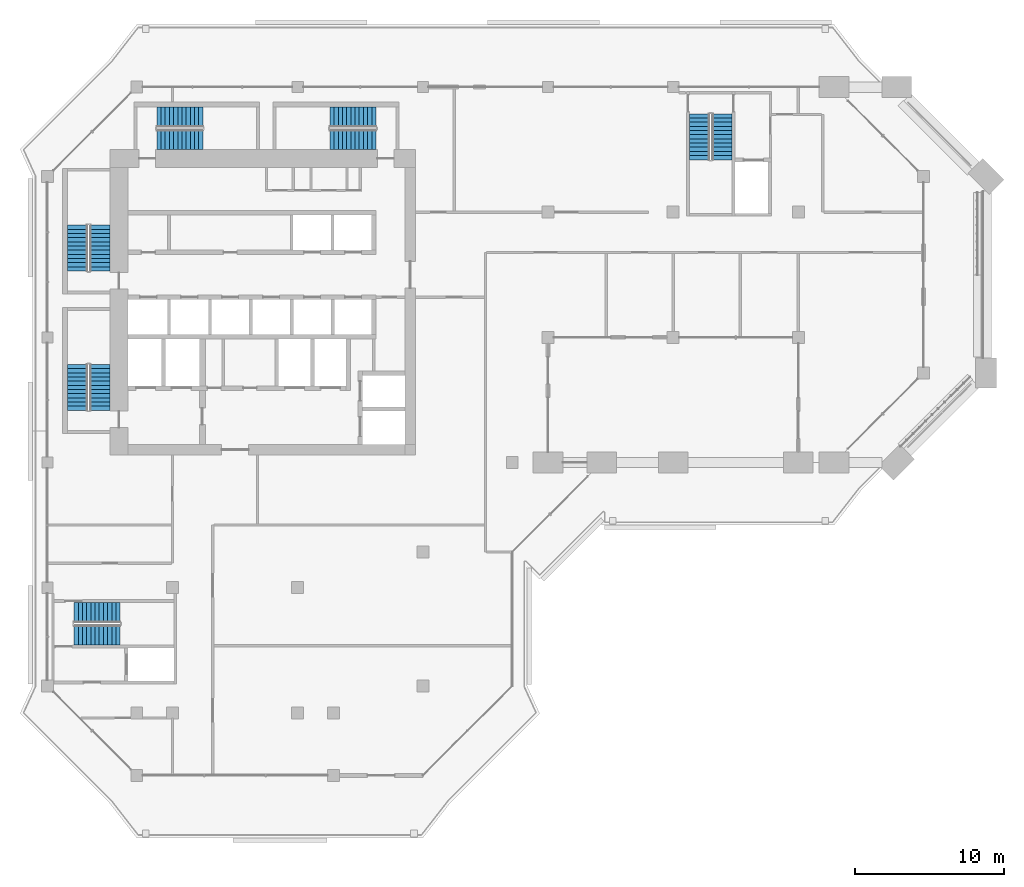
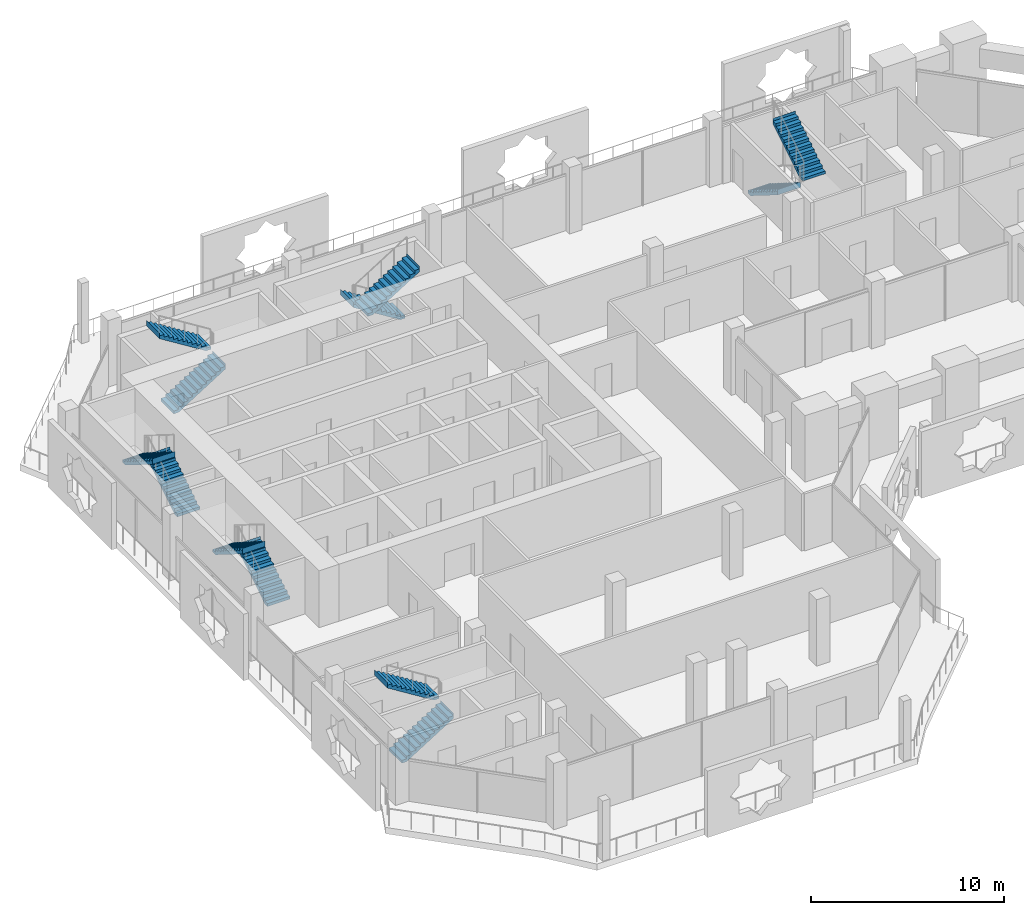
# One storey, part 14 of 20: 12 stair flights, 6 elements without a shape of their own.
"""IFC4 building model written with IfcOpenShell, lengths in metres."""

from ifc_helpers import new_model, si_unit, direction, frame, origin, place, context, subcontext, project, spatial, polyline, outline, extrude, material, type_object, element, aggregate, save


model = new_model("IFC4")

# Units and contexts
model_context = context("Model", 3, precision=1e-05, world=origin(), true_north=direction((0.0, 1.0)))
body_context = subcontext(model_context, "Body", "Model", "MODEL_VIEW")
ifc_project = project(units=[si_unit("LENGTHUNIT", "METRE"), si_unit("AREAUNIT", "SQUARE_METRE"), si_unit("VOLUMEUNIT", "CUBIC_METRE"), si_unit("PLANEANGLEUNIT", "RADIAN"), si_unit("MASSUNIT", "GRAM", prefix="KILO")], contexts=[model_context])

# Site, building, storey
site_placement = place(None, origin())
site = spatial("IfcSite", under=ifc_project, at=site_placement, CompositionType="ELEMENT")
building_placement = place(site_placement, origin())
building = spatial("IfcBuilding", under=site, at=building_placement, Name="Kawkab Arch Medical Tower", CompositionType="ELEMENT")
storey_placement = place(building_placement, frame((0.0, 0.0, 277.60009765625)))
storey = spatial("IfcBuildingStorey", under=building, at=storey_placement, Name="L64", CompositionType="ELEMENT", Elevation=277.60009765625)

# Stair, stair flights
ifc_material_1 = material(Name="Concrete C40/50", Category="concrete")
stair_type = type_object("IfcStairType", Name="Exit stair 1350", PredefinedType="HALF_TURN_STAIR", material=ifc_material_1)
placement = place(storey_placement, origin())
stair_1 = element("IfcStair", 1, at=placement, inside=storey, type_object=stair_type, Name="L64 Exit stair ST1", PredefinedType="HALF_TURN_STAIR")
ifc_material_2 = material(Name="Concrete C40/50", Category="concrete")
stair_flight_type = type_object("IfcStairFlightType", Name="Exit stair flight 1350", PredefinedType="STRAIGHT", material=ifc_material_2)
stair_flight_1_placement = place(storey_placement, frame((3.52490234375, -12.35009765625, 0.0), z_axis=(0.0, 0.0, 1.0), x_axis=(0.0, 1.0, 0.0)))
stair_flight_1 = element("IfcStairFlight", 2, at=stair_flight_1_placement, type_object=stair_flight_type, Name="ST1 flight 1", NumberOfRisers=12, NumberOfTreads=11, PredefinedType="STRAIGHT", RiserHeight=0.175, TreadLength=0.28, context=body_context, shape_type="SweptSolid", body=[
    extrude(outline(polyline([(-0.0029296875, 0.0), (-0.0029296875, 0.175048828125), (0.0, 0.175048828125), (0.280029296875, 0.175048828125), (0.280029296875, 0.35009765625), (0.56005859375, 0.35009765625), (0.56005859375, 0.52490234375), (0.840087890625, 0.52490234375), (0.840087890625, 0.699951171875), (1.1201171875, 0.699951171875), (1.1201171875, 0.875), (1.39990234375, 0.875), (1.39990234375, 1.050048828125), (1.679931640625, 1.050048828125), (1.679931640625, 1.22509765625), (1.9599609375, 1.22509765625), (1.9599609375, 1.39990234375), (2.239990234375, 1.39990234375), (2.239990234375, 1.574951171875), (2.52001953125, 1.574951171875), (2.52001953125, 1.75), (2.800048828125, 1.75), (2.800048828125, 1.925048828125), (3.080078125, 1.925048828125), (3.080078125, 2.10009765625), (3.0830078125, 2.10009765625), (3.0830078125, 1.748291015625), (3.080078125, 1.748291015625), (0.28271484375, 0.0), (-0.0029296875, 0.0)])), frame((0.0, 0.675048828125, 0.0), z_axis=(0.0, -1.0, 0.0), x_axis=(1.0, 0.0, 0.0)), (0.0, 0.0, 1.0), 1.35009765625),
])
stair_flight_2_placement = place(storey_placement, frame((2.02490234375, -9.27001953125, 2.099853515625), z_axis=(0.0, 0.0, 1.0), x_axis=(0.0, -1.0, 0.0)))
stair_flight_2 = element("IfcStairFlight", 3, at=stair_flight_2_placement, type_object=stair_flight_type, Name="ST1 flight 2", NumberOfRisers=12, NumberOfTreads=11, PredefinedType="STRAIGHT", RiserHeight=0.175, TreadLength=0.28, context=body_context, shape_type="SweptSolid", body=[
    extrude(outline(polyline([(-0.0029296875, 0.0), (-0.0029296875, 0.175048828125), (0.0, 0.175048828125), (0.280029296875, 0.175048828125), (0.280029296875, 0.35009765625), (0.56005859375, 0.35009765625), (0.56005859375, 0.52490234375), (0.840087890625, 0.52490234375), (0.840087890625, 0.699951171875), (1.1201171875, 0.699951171875), (1.1201171875, 0.875), (1.39990234375, 0.875), (1.39990234375, 1.050048828125), (1.679931640625, 1.050048828125), (1.679931640625, 1.22509765625), (1.9599609375, 1.22509765625), (1.9599609375, 1.39990234375), (2.239990234375, 1.39990234375), (2.239990234375, 1.574951171875), (2.52001953125, 1.574951171875), (2.52001953125, 1.75), (2.800048828125, 1.75), (2.800048828125, 1.925048828125), (3.080078125, 1.925048828125), (3.080078125, 2.10009765625), (3.0830078125, 2.10009765625), (3.0830078125, 1.748291015625), (3.080078125, 1.748291015625), (0.28271484375, 0.0), (-0.0029296875, 0.0)])), frame((0.0, 0.675048828125, 0.0), z_axis=(0.0, -1.0, 0.0), x_axis=(1.0, 0.0, 0.0)), (0.0, 0.0, 1.0), 1.35009765625),
])
aggregate(stair_1, [stair_flight_1, stair_flight_2])

stair_2 = element("IfcStair", 4, at=placement, inside=storey, type_object=stair_type, Name="L64 Exit stair ST2", PredefinedType="HALF_TURN_STAIR")
stair_flight_3_placement = place(storey_placement, frame((3.52490234375, -21.699951171875, 0.0), z_axis=(0.0, 0.0, 1.0), x_axis=(0.0, 1.0, 0.0)))
stair_flight_3 = element("IfcStairFlight", 5, at=stair_flight_3_placement, type_object=stair_flight_type, Name="ST2 flight 1", NumberOfRisers=12, NumberOfTreads=11, PredefinedType="STRAIGHT", RiserHeight=0.175, TreadLength=0.28, context=body_context, shape_type="SweptSolid", body=[
    extrude(outline(polyline([(-0.0029296875, 0.0), (-0.0029296875, 0.175048828125), (0.0, 0.175048828125), (0.280029296875, 0.175048828125), (0.280029296875, 0.35009765625), (0.56005859375, 0.35009765625), (0.56005859375, 0.52490234375), (0.840087890625, 0.52490234375), (0.840087890625, 0.699951171875), (1.1201171875, 0.699951171875), (1.1201171875, 0.875), (1.39990234375, 0.875), (1.39990234375, 1.050048828125), (1.679931640625, 1.050048828125), (1.679931640625, 1.22509765625), (1.9599609375, 1.22509765625), (1.9599609375, 1.39990234375), (2.239990234375, 1.39990234375), (2.239990234375, 1.574951171875), (2.52001953125, 1.574951171875), (2.52001953125, 1.75), (2.800048828125, 1.75), (2.800048828125, 1.925048828125), (3.080078125, 1.925048828125), (3.080078125, 2.10009765625), (3.0830078125, 2.10009765625), (3.0830078125, 1.748291015625), (3.080078125, 1.748291015625), (0.28271484375, 0.0), (-0.0029296875, 0.0)])), frame((0.0, 0.675048828125, 0.0), z_axis=(0.0, -1.0, 0.0), x_axis=(1.0, 0.0, 0.0)), (0.0, 0.0, 1.0), 1.35009765625),
])
stair_flight_4_placement = place(storey_placement, frame((2.02490234375, -18.6201171875, 2.099853515625), z_axis=(0.0, 0.0, 1.0), x_axis=(0.0, -1.0, 0.0)))
stair_flight_4 = element("IfcStairFlight", 6, at=stair_flight_4_placement, type_object=stair_flight_type, Name="ST2 flight 2", NumberOfRisers=12, NumberOfTreads=11, PredefinedType="STRAIGHT", RiserHeight=0.175, TreadLength=0.28, context=body_context, shape_type="SweptSolid", body=[
    extrude(outline(polyline([(-0.0029296875, 0.0), (-0.0029296875, 0.175048828125), (0.0, 0.175048828125), (0.280029296875, 0.175048828125), (0.280029296875, 0.35009765625), (0.56005859375, 0.35009765625), (0.56005859375, 0.52490234375), (0.840087890625, 0.52490234375), (0.840087890625, 0.699951171875), (1.1201171875, 0.699951171875), (1.1201171875, 0.875), (1.39990234375, 0.875), (1.39990234375, 1.050048828125), (1.679931640625, 1.050048828125), (1.679931640625, 1.22509765625), (1.9599609375, 1.22509765625), (1.9599609375, 1.39990234375), (2.239990234375, 1.39990234375), (2.239990234375, 1.574951171875), (2.52001953125, 1.574951171875), (2.52001953125, 1.75), (2.800048828125, 1.75), (2.800048828125, 1.925048828125), (3.080078125, 1.925048828125), (3.080078125, 2.10009765625), (3.0830078125, 2.10009765625), (3.0830078125, 1.748291015625), (3.080078125, 1.748291015625), (0.28271484375, 0.0), (-0.0029296875, 0.0)])), frame((0.0, 0.675048828125, 0.0), z_axis=(0.0, -1.0, 0.0), x_axis=(1.0, 0.0, 0.0)), (0.0, 0.0, 1.0), 1.35009765625),
])
aggregate(stair_2, [stair_flight_3, stair_flight_4])

stair_3 = element("IfcStair", 7, at=placement, inside=storey, type_object=stair_type, Name="L64 Exit stair ST3", PredefinedType="HALF_TURN_STAIR")
stair_flight_5_placement = place(storey_placement, frame((7.35009765625, -3.52490234375, 0.0), z_axis=(0.0, 0.0, 1.0), x_axis=(1.0, 0.0, 0.0)))
stair_flight_5 = element("IfcStairFlight", 8, at=stair_flight_5_placement, type_object=stair_flight_type, Name="ST3 flight 1", NumberOfRisers=12, NumberOfTreads=11, PredefinedType="STRAIGHT", RiserHeight=0.175, TreadLength=0.28, context=body_context, shape_type="SweptSolid", body=[
    extrude(outline(polyline([(-0.0029296875, 0.0), (-0.0029296875, 0.175048828125), (0.0, 0.175048828125), (0.280029296875, 0.175048828125), (0.280029296875, 0.35009765625), (0.56005859375, 0.35009765625), (0.56005859375, 0.52490234375), (0.840087890625, 0.52490234375), (0.840087890625, 0.699951171875), (1.1201171875, 0.699951171875), (1.1201171875, 0.875), (1.39990234375, 0.875), (1.39990234375, 1.050048828125), (1.679931640625, 1.050048828125), (1.679931640625, 1.22509765625), (1.9599609375, 1.22509765625), (1.9599609375, 1.39990234375), (2.239990234375, 1.39990234375), (2.239990234375, 1.574951171875), (2.52001953125, 1.574951171875), (2.52001953125, 1.75), (2.800048828125, 1.75), (2.800048828125, 1.925048828125), (3.080078125, 1.925048828125), (3.080078125, 2.10009765625), (3.0830078125, 2.10009765625), (3.0830078125, 1.748291015625), (3.080078125, 1.748291015625), (0.28271484375, 0.0), (-0.0029296875, 0.0)])), frame((0.0, 0.675048828125, 0.0), z_axis=(0.0, -1.0, 0.0), x_axis=(1.0, 0.0, 0.0)), (0.0, 0.0, 1.0), 1.35009765625),
])
stair_flight_6_placement = place(storey_placement, frame((10.429931640625, -2.02490234375, 2.099853515625), z_axis=(0.0, 0.0, 1.0), x_axis=(-1.0, 0.0, 0.0)))
stair_flight_6 = element("IfcStairFlight", 9, at=stair_flight_6_placement, type_object=stair_flight_type, Name="ST3 flight 2", NumberOfRisers=12, NumberOfTreads=11, PredefinedType="STRAIGHT", RiserHeight=0.175, TreadLength=0.28, context=body_context, shape_type="SweptSolid", body=[
    extrude(outline(polyline([(-0.0029296875, 0.0), (-0.0029296875, 0.175048828125), (0.0, 0.175048828125), (0.280029296875, 0.175048828125), (0.280029296875, 0.35009765625), (0.56005859375, 0.35009765625), (0.56005859375, 0.52490234375), (0.840087890625, 0.52490234375), (0.840087890625, 0.699951171875), (1.1201171875, 0.699951171875), (1.1201171875, 0.875), (1.39990234375, 0.875), (1.39990234375, 1.050048828125), (1.679931640625, 1.050048828125), (1.679931640625, 1.22509765625), (1.9599609375, 1.22509765625), (1.9599609375, 1.39990234375), (2.239990234375, 1.39990234375), (2.239990234375, 1.574951171875), (2.52001953125, 1.574951171875), (2.52001953125, 1.75), (2.800048828125, 1.75), (2.800048828125, 1.925048828125), (3.080078125, 1.925048828125), (3.080078125, 2.10009765625), (3.0830078125, 2.10009765625), (3.0830078125, 1.748291015625), (3.080078125, 1.748291015625), (0.28271484375, 0.0), (-0.0029296875, 0.0)])), frame((0.0, 0.675048828125, 0.0), z_axis=(0.0, -1.0, 0.0), x_axis=(1.0, 0.0, 0.0)), (0.0, 0.0, 1.0), 1.35009765625),
])
aggregate(stair_3, [stair_flight_5, stair_flight_6])

stair_4 = element("IfcStair", 10, at=placement, inside=storey, type_object=stair_type, Name="L64 Exit stair ST4", PredefinedType="HALF_TURN_STAIR")
stair_flight_7_placement = place(storey_placement, frame((22.050048828125, -2.02490234375, 0.0), z_axis=(0.0, 0.0, 1.0), x_axis=(-1.0, 0.0, 0.0)))
stair_flight_7 = element("IfcStairFlight", 11, at=stair_flight_7_placement, type_object=stair_flight_type, Name="ST4 flight 1", NumberOfRisers=12, NumberOfTreads=11, PredefinedType="STRAIGHT", RiserHeight=0.175, TreadLength=0.28, context=body_context, shape_type="SweptSolid", body=[
    extrude(outline(polyline([(-0.0029296875, 0.0), (-0.0029296875, 0.175048828125), (0.0, 0.175048828125), (0.280029296875, 0.175048828125), (0.280029296875, 0.35009765625), (0.56005859375, 0.35009765625), (0.56005859375, 0.52490234375), (0.840087890625, 0.52490234375), (0.840087890625, 0.699951171875), (1.1201171875, 0.699951171875), (1.1201171875, 0.875), (1.39990234375, 0.875), (1.39990234375, 1.050048828125), (1.679931640625, 1.050048828125), (1.679931640625, 1.22509765625), (1.9599609375, 1.22509765625), (1.9599609375, 1.39990234375), (2.239990234375, 1.39990234375), (2.239990234375, 1.574951171875), (2.52001953125, 1.574951171875), (2.52001953125, 1.75), (2.800048828125, 1.75), (2.800048828125, 1.925048828125), (3.080078125, 1.925048828125), (3.080078125, 2.10009765625), (3.0830078125, 2.10009765625), (3.0830078125, 1.748291015625), (3.080078125, 1.748291015625), (0.28271484375, 0.0), (-0.0029296875, 0.0)])), frame((0.0, 0.675048828125, 0.0), z_axis=(0.0, -1.0, 0.0), x_axis=(1.0, 0.0, 0.0)), (0.0, 0.0, 1.0), 1.35009765625),
])
stair_flight_8_placement = place(storey_placement, frame((18.969970703125, -3.52490234375, 2.099853515625), z_axis=(0.0, 0.0, 1.0), x_axis=(1.0, 0.0, 0.0)))
stair_flight_8 = element("IfcStairFlight", 12, at=stair_flight_8_placement, type_object=stair_flight_type, Name="ST4 flight 2", NumberOfRisers=12, NumberOfTreads=11, PredefinedType="STRAIGHT", RiserHeight=0.175, TreadLength=0.28, context=body_context, shape_type="SweptSolid", body=[
    extrude(outline(polyline([(-0.0029296875, 0.0), (-0.0029296875, 0.175048828125), (0.0, 0.175048828125), (0.280029296875, 0.175048828125), (0.280029296875, 0.35009765625), (0.56005859375, 0.35009765625), (0.56005859375, 0.52490234375), (0.840087890625, 0.52490234375), (0.840087890625, 0.699951171875), (1.1201171875, 0.699951171875), (1.1201171875, 0.875), (1.39990234375, 0.875), (1.39990234375, 1.050048828125), (1.679931640625, 1.050048828125), (1.679931640625, 1.22509765625), (1.9599609375, 1.22509765625), (1.9599609375, 1.39990234375), (2.239990234375, 1.39990234375), (2.239990234375, 1.574951171875), (2.52001953125, 1.574951171875), (2.52001953125, 1.75), (2.800048828125, 1.75), (2.800048828125, 1.925048828125), (3.080078125, 1.925048828125), (3.080078125, 2.10009765625), (3.0830078125, 2.10009765625), (3.0830078125, 1.748291015625), (3.080078125, 1.748291015625), (0.28271484375, 0.0), (-0.0029296875, 0.0)])), frame((0.0, 0.675048828125, 0.0), z_axis=(0.0, -1.0, 0.0), x_axis=(1.0, 0.0, 0.0)), (0.0, 0.0, 1.0), 1.35009765625),
])
aggregate(stair_4, [stair_flight_7, stair_flight_8])

stair_5 = element("IfcStair", 13, at=placement, inside=storey, type_object=stair_type, Name="L64 Exit stair ST5", PredefinedType="HALF_TURN_STAIR")
stair_flight_9_placement = place(storey_placement, frame((43.77490234375, -1.800048828125, 0.0), z_axis=(0.0, 0.0, 1.0), x_axis=(0.0, -1.0, 0.0)))
stair_flight_9 = element("IfcStairFlight", 14, at=stair_flight_9_placement, type_object=stair_flight_type, Name="ST5 flight 1", NumberOfRisers=12, NumberOfTreads=11, PredefinedType="STRAIGHT", RiserHeight=0.175, TreadLength=0.28, context=body_context, shape_type="SweptSolid", body=[
    extrude(outline(polyline([(-0.0029296875, 0.0), (-0.0029296875, 0.175048828125), (0.0, 0.175048828125), (0.280029296875, 0.175048828125), (0.280029296875, 0.35009765625), (0.56005859375, 0.35009765625), (0.56005859375, 0.52490234375), (0.840087890625, 0.52490234375), (0.840087890625, 0.699951171875), (1.1201171875, 0.699951171875), (1.1201171875, 0.875), (1.39990234375, 0.875), (1.39990234375, 1.050048828125), (1.679931640625, 1.050048828125), (1.679931640625, 1.22509765625), (1.9599609375, 1.22509765625), (1.9599609375, 1.39990234375), (2.239990234375, 1.39990234375), (2.239990234375, 1.574951171875), (2.52001953125, 1.574951171875), (2.52001953125, 1.75), (2.800048828125, 1.75), (2.800048828125, 1.925048828125), (3.080078125, 1.925048828125), (3.080078125, 2.10009765625), (3.0830078125, 2.10009765625), (3.0830078125, 1.748291015625), (3.080078125, 1.748291015625), (0.28271484375, 0.0), (-0.0029296875, 0.0)])), frame((0.0, 0.675048828125, 0.0), z_axis=(0.0, -1.0, 0.0), x_axis=(1.0, 0.0, 0.0)), (0.0, 0.0, 1.0), 1.35009765625),
])
stair_flight_10_placement = place(storey_placement, frame((45.27490234375, -4.8798828125, 2.099853515625), z_axis=(0.0, 0.0, 1.0), x_axis=(0.0, 1.0, 0.0)))
stair_flight_10 = element("IfcStairFlight", 15, at=stair_flight_10_placement, type_object=stair_flight_type, Name="ST5 flight 2", NumberOfRisers=12, NumberOfTreads=11, PredefinedType="STRAIGHT", RiserHeight=0.175, TreadLength=0.28, context=body_context, shape_type="SweptSolid", body=[
    extrude(outline(polyline([(-0.0029296875, 0.0), (-0.0029296875, 0.175048828125), (0.0, 0.175048828125), (0.280029296875, 0.175048828125), (0.280029296875, 0.35009765625), (0.56005859375, 0.35009765625), (0.56005859375, 0.52490234375), (0.840087890625, 0.52490234375), (0.840087890625, 0.699951171875), (1.1201171875, 0.699951171875), (1.1201171875, 0.875), (1.39990234375, 0.875), (1.39990234375, 1.050048828125), (1.679931640625, 1.050048828125), (1.679931640625, 1.22509765625), (1.9599609375, 1.22509765625), (1.9599609375, 1.39990234375), (2.239990234375, 1.39990234375), (2.239990234375, 1.574951171875), (2.52001953125, 1.574951171875), (2.52001953125, 1.75), (2.800048828125, 1.75), (2.800048828125, 1.925048828125), (3.080078125, 1.925048828125), (3.080078125, 2.10009765625), (3.0830078125, 2.10009765625), (3.0830078125, 1.748291015625), (3.080078125, 1.748291015625), (0.28271484375, 0.0), (-0.0029296875, 0.0)])), frame((0.0, 0.675048828125, 0.0), z_axis=(0.0, -1.0, 0.0), x_axis=(1.0, 0.0, 0.0)), (0.0, 0.0, 1.0), 1.35009765625),
])
aggregate(stair_5, [stair_flight_9, stair_flight_10])

stair_6 = element("IfcStair", 16, at=placement, inside=storey, type_object=stair_type, Name="L64 Exit stair ST6", PredefinedType="HALF_TURN_STAIR")
stair_flight_11_placement = place(storey_placement, frame((1.800048828125, -36.77490234375, 0.0), z_axis=(0.0, 0.0, 1.0), x_axis=(1.0, 0.0, 0.0)))
stair_flight_11 = element("IfcStairFlight", 17, at=stair_flight_11_placement, type_object=stair_flight_type, Name="ST6 flight 1", NumberOfRisers=12, NumberOfTreads=11, PredefinedType="STRAIGHT", RiserHeight=0.175, TreadLength=0.28, context=body_context, shape_type="SweptSolid", body=[
    extrude(outline(polyline([(-0.0029296875, 0.0), (-0.0029296875, 0.175048828125), (0.0, 0.175048828125), (0.280029296875, 0.175048828125), (0.280029296875, 0.35009765625), (0.56005859375, 0.35009765625), (0.56005859375, 0.52490234375), (0.840087890625, 0.52490234375), (0.840087890625, 0.699951171875), (1.1201171875, 0.699951171875), (1.1201171875, 0.875), (1.39990234375, 0.875), (1.39990234375, 1.050048828125), (1.679931640625, 1.050048828125), (1.679931640625, 1.22509765625), (1.9599609375, 1.22509765625), (1.9599609375, 1.39990234375), (2.239990234375, 1.39990234375), (2.239990234375, 1.574951171875), (2.52001953125, 1.574951171875), (2.52001953125, 1.75), (2.800048828125, 1.75), (2.800048828125, 1.925048828125), (3.080078125, 1.925048828125), (3.080078125, 2.10009765625), (3.0830078125, 2.10009765625), (3.0830078125, 1.748291015625), (3.080078125, 1.748291015625), (0.28271484375, 0.0), (-0.0029296875, 0.0)])), frame((0.0, 0.675048828125, 0.0), z_axis=(0.0, -1.0, 0.0), x_axis=(1.0, 0.0, 0.0)), (0.0, 0.0, 1.0), 1.35009765625),
])
stair_flight_12_placement = place(storey_placement, frame((4.8798828125, -35.27490234375, 2.099853515625), z_axis=(0.0, 0.0, 1.0), x_axis=(-1.0, 0.0, 0.0)))
stair_flight_12 = element("IfcStairFlight", 18, at=stair_flight_12_placement, type_object=stair_flight_type, Name="ST6 flight 2", NumberOfRisers=12, NumberOfTreads=11, PredefinedType="STRAIGHT", RiserHeight=0.175, TreadLength=0.28, context=body_context, shape_type="SweptSolid", body=[
    extrude(outline(polyline([(-0.0029296875, 0.0), (-0.0029296875, 0.175048828125), (0.0, 0.175048828125), (0.280029296875, 0.175048828125), (0.280029296875, 0.35009765625), (0.56005859375, 0.35009765625), (0.56005859375, 0.52490234375), (0.840087890625, 0.52490234375), (0.840087890625, 0.699951171875), (1.1201171875, 0.699951171875), (1.1201171875, 0.875), (1.39990234375, 0.875), (1.39990234375, 1.050048828125), (1.679931640625, 1.050048828125), (1.679931640625, 1.22509765625), (1.9599609375, 1.22509765625), (1.9599609375, 1.39990234375), (2.239990234375, 1.39990234375), (2.239990234375, 1.574951171875), (2.52001953125, 1.574951171875), (2.52001953125, 1.75), (2.800048828125, 1.75), (2.800048828125, 1.925048828125), (3.080078125, 1.925048828125), (3.080078125, 2.10009765625), (3.0830078125, 2.10009765625), (3.0830078125, 1.748291015625), (3.080078125, 1.748291015625), (0.28271484375, 0.0), (-0.0029296875, 0.0)])), frame((0.0, 0.675048828125, 0.0), z_axis=(0.0, -1.0, 0.0), x_axis=(1.0, 0.0, 0.0)), (0.0, 0.0, 1.0), 1.35009765625),
])
aggregate(stair_6, [stair_flight_11, stair_flight_12])

save(model, "model.ifc")
